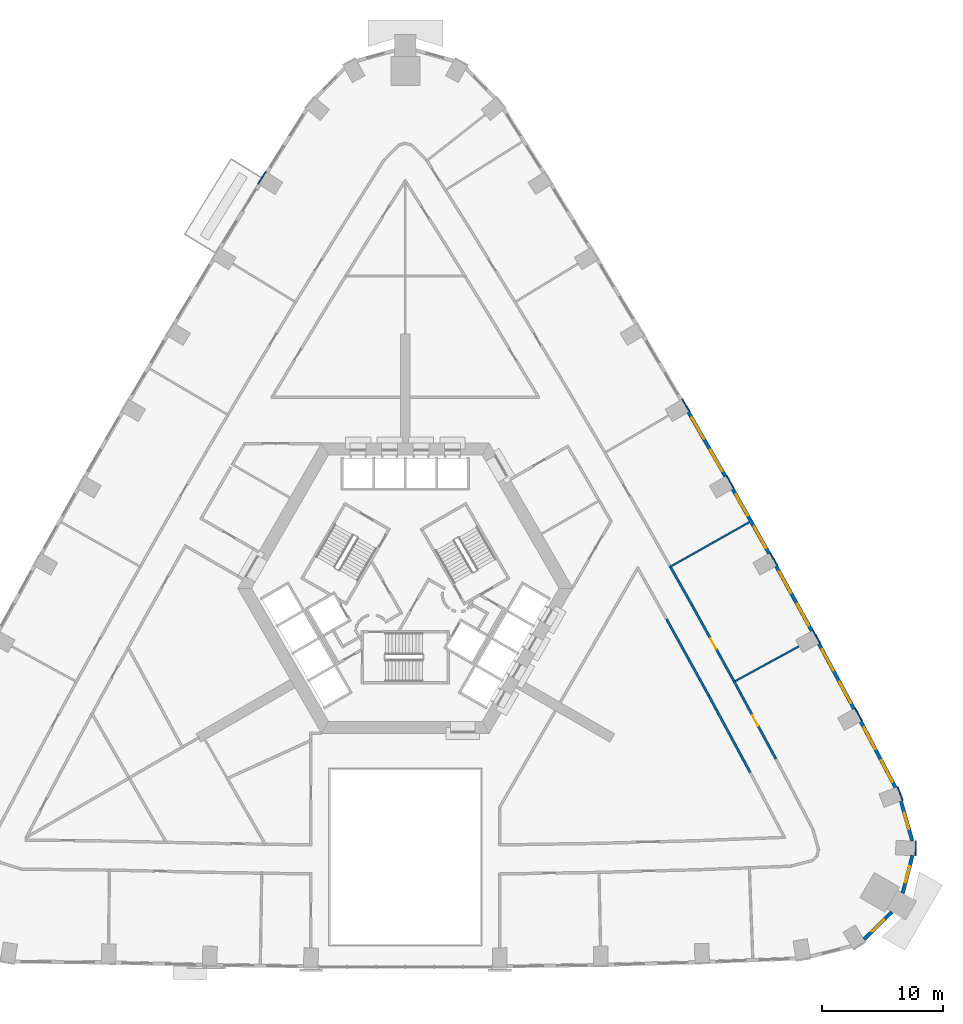
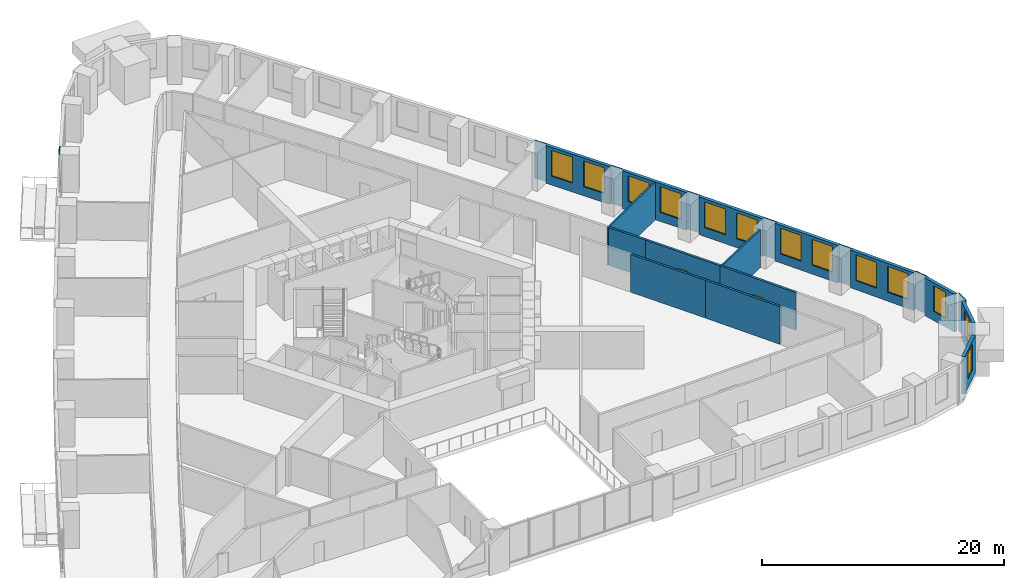
# One storey, part 11 of 15: 23 walls, 13 windows, 2 doors, 15 openings.
"""IFC4 building model written with IfcOpenShell, lengths in metres."""

from ifc_helpers import new_model, si_unit, direction, frame, frame_2d, origin, place, context, subcontext, project, spatial, rectangle, extrude, material, layer, layer_set, type_object, element, fill, save


model = new_model("IFC4")

# Units and contexts
model_context = context("Model", 3, precision=1e-05, world=origin(), true_north=direction((0.0, 1.0)))
body_context = subcontext(model_context, "Body", "Model", "MODEL_VIEW")
ifc_project = project(units=[si_unit("LENGTHUNIT", "METRE"), si_unit("AREAUNIT", "SQUARE_METRE"), si_unit("VOLUMEUNIT", "CUBIC_METRE"), si_unit("PLANEANGLEUNIT", "RADIAN"), si_unit("MASSUNIT", "GRAM", prefix="KILO")], contexts=[model_context])

# Site, building, storey
site_placement = place(None, origin())
site = spatial("IfcSite", under=ifc_project, at=site_placement, CompositionType="ELEMENT")
building_placement = place(site_placement, origin())
building = spatial("IfcBuilding", under=site, at=building_placement, Name="Entoto Arch Interchange Tower", CompositionType="ELEMENT")
storey_placement = place(building_placement, frame((0.0, 0.0, 56.0)))
storey = spatial("IfcBuildingStorey", under=building, at=storey_placement, Name="L11", CompositionType="ELEMENT", Elevation=56.0)

# Walls
ifc_material_1 = material(Name="Gypsum board partition on steel studs", Category="steel")
ifc_layer_1 = layer(ifc_material_1, 0.14990234375)
ifc_layer_set_1 = layer_set([ifc_layer_1], Name="Gypsum board partition on steel studs")
wall_type_1 = type_object("IfcWallType", Name="PARTITION 150", PredefinedType="PARTITIONING", material=ifc_layer_set_1)
wall_1_placement = place(storey_placement, frame((27.26806640625, -5.1708984375, 0.0), z_axis=(0.0, 0.0, 1.0), x_axis=(0.877837854343, 0.478957932895, 0.0)))
element("IfcWall", 1, at=wall_1_placement, inside=storey, type_object=wall_type_1, Name="wall:L11:p134", PredefinedType="PARTITIONING", context=body_context, shape_type="SweptSolid", body=[
    extrude(rectangle(XDim=5.981689453125, YDim=0.14990234375, at=frame_2d((2.99072265625, 0.0))), origin(), (0.0, 0.0, 1.0), 3.800048828125),
])
wall_2_placement = place(storey_placement, frame((21.81298828125, 4.23095703125, 0.0), z_axis=(0.0, 0.0, 1.0), x_axis=(0.870901264369, 0.491458022337, 0.0)))
element("IfcWall", 2, at=wall_2_placement, inside=storey, type_object=wall_type_1, Name="wall:L11:p135", PredefinedType="PARTITIONING", context=body_context, shape_type="SweptSolid", body=[
    extrude(rectangle(XDim=7.60009765625, YDim=0.14990234375, at=frame_2d((3.800048828125, 0.0))), origin(), (0.0, 0.0, 1.0), 3.800048828125),
])
ifc_layer_2 = layer(ifc_material_1, 0.199951171875)
ifc_layer_set_2 = layer_set([ifc_layer_2], Name="Gypsum board partition on steel studs")
wall_type_2 = type_object("IfcWallType", Name="PARTITION 200", PredefinedType="PARTITIONING", material=ifc_layer_set_2)
wall_3_placement = place(storey_placement, frame((28.5009765625, -12.72412109375, 0.0), z_axis=(0.0, 0.0, 1.0), x_axis=(-0.474575559827, 0.880214768119, 0.0)))
element("IfcWall", 3, at=wall_3_placement, inside=storey, type_object=wall_type_2, Name="wall:L11:p022", PredefinedType="PARTITIONING", context=body_context, shape_type="SweptSolid", body=[
    extrude(rectangle(XDim=7.22119140625, YDim=0.199951171875, at=frame_2d((3.610595703125, 0.0))), origin(), (0.0, 0.0, 1.0), 3.800048828125),
])
wall_4_placement = place(storey_placement, frame((25.073974609375, -6.367919921875, 0.0), z_axis=(0.0, 0.0, 1.0), x_axis=(-0.483126495407, 0.875550563609, 0.0)))
element("IfcWall", 4, at=wall_4_placement, inside=storey, type_object=wall_type_2, Name="wall:L11:p023", PredefinedType="PARTITIONING", context=body_context, shape_type="SweptSolid", body=[
    extrude(rectangle(XDim=7.2216796875, YDim=0.199951171875, at=frame_2d((3.61083984375, 0.0))), origin(), (0.0, 0.0, 1.0), 3.800048828125),
])

# Wall, opening, door
wall_5_placement = place(storey_placement, frame((27.14501953125, -5.152099609375, 0.0), z_axis=(0.0, 0.0, 1.0), x_axis=(0.474591029089, -0.880206427554, 0.0)))
wall_5 = element("IfcWall", 5, at=wall_5_placement, inside=storey, type_object=wall_type_2, Name="wall:L11:p040", PredefinedType="PARTITIONING", context=body_context, shape_type="SweptSolid", body=[
    extrude(rectangle(XDim=7.31982421875, YDim=0.199951171875, at=frame_2d((3.659912109375, 0.0))), origin(), (0.0, 0.0, 1.0), 3.800048828125),
])
opening_1_placement = place(wall_5_placement, frame((3.235107421875, 0.0, 0.0)))
opening_1 = element("IfcOpeningElement", 6, at=opening_1_placement, cuts=wall_5, Name="Opening L11-D03", PredefinedType="OPENING", context=body_context, shape_type="SweptSolid", body=[
    extrude(rectangle(XDim=1.0, YDim=2.10009765625, at=frame_2d((0.5, 1.050048828125))), frame((0.0, 0.10986328125, 0.0), z_axis=(0.0, -1.0, 0.0), x_axis=(1.0, 0.0, 0.0)), (0.0, 0.0, 1.0), 0.219970703125),
])
ifc_material_2 = material(Name="Timber door leaf in Steel S235 frame", Category="steel")
door_type = type_object("IfcDoorType", Name="DOOR DS-10 1000x2100", OperationType="SINGLE_SWING_LEFT", PredefinedType="DOOR", material=ifc_material_2)
door_1_placement = place(opening_1_placement, origin())
door_1 = element("IfcDoor", 7, at=door_1_placement, inside=storey, type_object=door_type, Name="door:L11:03", OperationType="SINGLE_SWING_RIGHT", OverallHeight=2.10009765625, OverallWidth=1.0, PredefinedType="DOOR", context=body_context, shape_type="SweptSolid", body=[
    extrude(rectangle(XDim=1.0, YDim=2.10009765625, at=frame_2d((0.5, 1.050048828125))), frame((0.0, 0.02490234375, 0.0), z_axis=(0.0, -1.0, 0.0), x_axis=(1.0, 0.0, 0.0)), (0.0, 0.0, 1.0), 0.050048828125),
])
fill(opening_1, door_1)

# Wall
wall_6_placement = place(storey_placement, frame((21.93701171875, 4.214111328125, 0.0), z_axis=(0.0, 0.0, 1.0), x_axis=(0.491485799319, -0.870885588965, 0.0)))
element("IfcWall", 8, at=wall_6_placement, inside=storey, type_object=wall_type_2, Name="wall:L11:p047", PredefinedType="PARTITIONING", context=body_context, shape_type="SweptSolid", body=[
    extrude(rectangle(XDim=3.548095703125, YDim=0.199951171875, at=frame_2d((1.77392578125, 0.0))), origin(), (0.0, 0.0, 1.0), 3.800048828125),
])

# Wall, opening, door
wall_7_placement = place(storey_placement, frame((23.680908203125, 1.1240234375, 0.0), z_axis=(0.0, 0.0, 1.0), x_axis=(0.483125061868, -0.875551354631, 0.0)))
wall_7 = element("IfcWall", 9, at=wall_7_placement, inside=storey, type_object=wall_type_2, Name="wall:L11:p048", PredefinedType="PARTITIONING", context=body_context, shape_type="SweptSolid", body=[
    extrude(rectangle(XDim=7.168212890625, YDim=0.199951171875, at=frame_2d((3.583984375, 0.0))), origin(), (0.0, 0.0, 1.0), 3.800048828125),
])
opening_2_placement = place(wall_7_placement, frame((3.158935546875, 0.0, 0.0)))
opening_2 = element("IfcOpeningElement", 10, at=opening_2_placement, cuts=wall_7, Name="Opening L11-D04", PredefinedType="OPENING", context=body_context, shape_type="SweptSolid", body=[
    extrude(rectangle(XDim=1.0, YDim=2.10009765625, at=frame_2d((0.5, 1.050048828125))), frame((0.0, 0.10986328125, 0.0), z_axis=(0.0, -1.0, 0.0), x_axis=(1.0, 0.0, 0.0)), (0.0, 0.0, 1.0), 0.219970703125),
])
door_2_placement = place(opening_2_placement, origin())
door_2 = element("IfcDoor", 11, at=door_2_placement, inside=storey, type_object=door_type, Name="door:L11:04", OperationType="SINGLE_SWING_LEFT", OverallHeight=2.10009765625, OverallWidth=1.0, PredefinedType="DOOR", context=body_context, shape_type="SweptSolid", body=[
    extrude(rectangle(XDim=1.0, YDim=2.10009765625, at=frame_2d((0.5, 1.050048828125))), frame((0.0, 0.02490234375, 0.0), z_axis=(0.0, -1.0, 0.0), x_axis=(1.0, 0.0, 0.0)), (0.0, 0.0, 1.0), 0.050048828125),
])
fill(opening_2, door_2)

# Wall, opening, window
ifc_material_3 = material(Name="Welded tuff (ignimbrite) cladding, warm buff", Category="masonry")
ifc_layer_3 = layer(ifc_material_3, 0.300048828125)
ifc_layer_set_3 = layer_set([ifc_layer_3], Name="Welded tuff (ignimbrite) cladding, warm buff")
wall_type_3 = type_object("IfcWallType", Name="STONE INFILL WALL 300", PredefinedType="STANDARD", material=ifc_layer_set_3)
wall_8_placement = place(storey_placement, frame((37.9140625, -26.512939453125, 0.0), z_axis=(0.0, 0.0, 1.0), x_axis=(0.71340487189, 0.700752087948, 0.0)))
wall_8 = element("IfcWall", 12, at=wall_8_placement, inside=storey, type_object=wall_type_3, Name="Facade wall SE-02 L11", PredefinedType="STANDARD", context=body_context, shape_type="SweptSolid", body=[
    extrude(rectangle(XDim=3.222412109375, YDim=0.300048828125, at=frame_2d((1.611328125, 0.0))), origin(), (0.0, 0.0, 1.0), 3.800048828125),
])
opening_3_placement = place(wall_8_placement, frame((0.910888671875, 0.0, 0.89990234375)))
opening_3 = element("IfcOpeningElement", 13, at=opening_3_placement, cuts=wall_8, Name="Opening WO-B", PredefinedType="OPENING", context=body_context, shape_type="SweptSolid", body=[
    extrude(rectangle(XDim=1.39990234375, YDim=2.60009765625, at=frame_2d((0.699951171875, 1.300048828125))), frame((0.0, 0.16015625, 0.0), z_axis=(0.0, -1.0, 0.0), x_axis=(1.0, 0.0, 0.0)), (0.0, 0.0, 1.0), 0.320068359375),
])
ifc_material_4 = material(Name="Clear glass, low-e double glazed", Category="glass")
window_type_1 = type_object("IfcWindowType", Name="WINDOW WO-B 1400x2600", PartitioningType="DOUBLE_PANEL_VERTICAL", PredefinedType="WINDOW", material=ifc_material_4)
window_1_placement = place(opening_3_placement, origin())
window_1 = element("IfcWindow", 14, at=window_1_placement, inside=storey, type_object=window_type_1, Name="Window WO-B SE-02 L11", OverallHeight=2.60009765625, OverallWidth=1.39990234375, PartitioningType="SINGLE_PANEL", PredefinedType="WINDOW", context=body_context, shape_type="SweptSolid", body=[
    extrude(rectangle(XDim=1.39990234375, YDim=2.60009765625, at=frame_2d((0.699951171875, 1.300048828125))), frame((0.0, 0.030029296875, 0.0), z_axis=(0.0, -1.0, 0.0), x_axis=(1.0, 0.0, 0.0)), (0.0, 0.0, 1.0), 0.06005859375),
])
fill(opening_3, window_1)

wall_9_placement = place(storey_placement, frame((41.112060546875, -22.697998046875, 0.0), z_axis=(0.0, 0.0, 1.0), x_axis=(0.250086521833, 0.968223492587, 0.0)))
wall_9 = element("IfcWall", 15, at=wall_9_placement, inside=storey, type_object=wall_type_3, Name="Facade wall SE-03 L11", PredefinedType="STANDARD", context=body_context, shape_type="SweptSolid", body=[
    extrude(rectangle(XDim=3.222412109375, YDim=0.300048828125, at=frame_2d((1.611328125, 0.0))), origin(), (0.0, 0.0, 1.0), 3.800048828125),
])
opening_4_placement = place(wall_9_placement, frame((0.910888671875, 0.0, 0.89990234375)))
opening_4 = element("IfcOpeningElement", 16, at=opening_4_placement, cuts=wall_9, Name="Opening WO-B", PredefinedType="OPENING", context=body_context, shape_type="SweptSolid", body=[
    extrude(rectangle(XDim=1.39990234375, YDim=2.60009765625, at=frame_2d((0.699951171875, 1.300048828125))), frame((0.0, 0.16015625, 0.0), z_axis=(0.0, -1.0, 0.0), x_axis=(1.0, 0.0, 0.0)), (0.0, 0.0, 1.0), 0.320068359375),
])
window_2_placement = place(opening_4_placement, origin())
window_2 = element("IfcWindow", 17, at=window_2_placement, inside=storey, type_object=window_type_1, Name="Window WO-B SE-03 L11", OverallHeight=2.60009765625, OverallWidth=1.39990234375, PartitioningType="SINGLE_PANEL", PredefinedType="WINDOW", context=body_context, shape_type="SweptSolid", body=[
    extrude(rectangle(XDim=1.39990234375, YDim=2.60009765625, at=frame_2d((0.699951171875, 1.300048828125))), frame((0.0, 0.030029296875, 0.0), z_axis=(0.0, -1.0, 0.0), x_axis=(1.0, 0.0, 0.0)), (0.0, 0.0, 1.0), 0.06005859375),
])
fill(opening_4, window_2)

wall_10_placement = place(storey_placement, frame((41.89794921875, -18.37890625, 0.0), z_axis=(0.0, 0.0, 1.0), x_axis=(-0.272901963142, 0.962041848629, 0.0)))
wall_10 = element("IfcWall", 18, at=wall_10_placement, inside=storey, type_object=wall_type_3, Name="Facade wall SE-04 L11", PredefinedType="STANDARD", context=body_context, shape_type="SweptSolid", body=[
    extrude(rectangle(XDim=3.421875, YDim=0.300048828125, at=frame_2d((1.7109375, 0.0))), origin(), (0.0, 0.0, 1.0), 3.800048828125),
])
opening_5_placement = place(wall_10_placement, frame((1.010986328125, 0.0, 0.89990234375)))
opening_5 = element("IfcOpeningElement", 19, at=opening_5_placement, cuts=wall_10, Name="Opening WO-B", PredefinedType="OPENING", context=body_context, shape_type="SweptSolid", body=[
    extrude(rectangle(XDim=1.39990234375, YDim=2.60009765625, at=frame_2d((0.699951171875, 1.300048828125))), frame((0.0, 0.16015625, 0.0), z_axis=(0.0, -1.0, 0.0), x_axis=(1.0, 0.0, 0.0)), (0.0, 0.0, 1.0), 0.320068359375),
])
window_3_placement = place(opening_5_placement, origin())
window_3 = element("IfcWindow", 20, at=window_3_placement, inside=storey, type_object=window_type_1, Name="Window WO-B SE-04 L11", OverallHeight=2.60009765625, OverallWidth=1.39990234375, PartitioningType="SINGLE_PANEL", PredefinedType="WINDOW", context=body_context, shape_type="SweptSolid", body=[
    extrude(rectangle(XDim=1.39990234375, YDim=2.60009765625, at=frame_2d((0.699951171875, 1.300048828125))), frame((0.0, 0.030029296875, 0.0), z_axis=(0.0, -1.0, 0.0), x_axis=(1.0, 0.0, 0.0)), (0.0, 0.0, 1.0), 0.06005859375),
])
fill(opening_5, window_3)

# Wall, openings, windows
wall_11_placement = place(storey_placement, frame((40.51806640625, -13.97509765625, 0.0), z_axis=(0.0, 0.0, 1.0), x_axis=(-0.465847756605, 0.884864886673, 0.0)))
wall_11 = element("IfcWall", 21, at=wall_11_placement, inside=storey, type_object=wall_type_3, Name="Facade wall NE-01 L11", PredefinedType="STANDARD", context=body_context, shape_type="SweptSolid", body=[
    extrude(rectangle(XDim=6.156982421875, YDim=0.300048828125, at=frame_2d((3.07861328125, 0.0))), origin(), (0.0, 0.0, 1.0), 3.800048828125),
])
opening_6_placement = place(wall_11_placement, frame((0.5390625, 0.0, 0.89990234375)))
opening_6 = element("IfcOpeningElement", 22, at=opening_6_placement, cuts=wall_11, Name="Opening WO-C", PredefinedType="OPENING", context=body_context, shape_type="SweptSolid", body=[
    extrude(rectangle(XDim=2.0, YDim=2.60009765625, at=frame_2d((1.0, 1.300048828125))), frame((0.0, 0.16015625, 0.0), z_axis=(0.0, -1.0, 0.0), x_axis=(1.0, 0.0, 0.0)), (0.0, 0.0, 1.0), 0.320068359375),
])
opening_7_placement = place(wall_11_placement, frame((3.617919921875, 0.0, 0.89990234375)))
opening_7 = element("IfcOpeningElement", 23, at=opening_7_placement, cuts=wall_11, Name="Opening WO-C", PredefinedType="OPENING", context=body_context, shape_type="SweptSolid", body=[
    extrude(rectangle(XDim=2.0, YDim=2.60009765625, at=frame_2d((1.0, 1.300048828125))), frame((0.0, 0.16015625, 0.0), z_axis=(0.0, -1.0, 0.0), x_axis=(1.0, 0.0, 0.0)), (0.0, 0.0, 1.0), 0.320068359375),
])
window_type_2 = type_object("IfcWindowType", Name="WINDOW WO-C 2000x2600", PartitioningType="DOUBLE_PANEL_VERTICAL", PredefinedType="WINDOW", material=ifc_material_4)
window_4_placement = place(opening_6_placement, origin())
window_4 = element("IfcWindow", 24, at=window_4_placement, inside=storey, type_object=window_type_2, Name="Window WO-C NE-01 L11", OverallHeight=2.60009765625, OverallWidth=2.0, PartitioningType="SINGLE_PANEL", PredefinedType="WINDOW", context=body_context, shape_type="SweptSolid", body=[
    extrude(rectangle(XDim=2.0, YDim=2.60009765625, at=frame_2d((1.0, 1.300048828125))), frame((0.0, 0.030029296875, 0.0), z_axis=(0.0, -1.0, 0.0), x_axis=(1.0, 0.0, 0.0)), (0.0, 0.0, 1.0), 0.06005859375),
])
fill(opening_6, window_4)
window_5_placement = place(opening_7_placement, origin())
window_5 = element("IfcWindow", 25, at=window_5_placement, inside=storey, type_object=window_type_2, Name="Window WO-C NE-01 L11", OverallHeight=2.60009765625, OverallWidth=2.0, PartitioningType="SINGLE_PANEL", PredefinedType="WINDOW", context=body_context, shape_type="SweptSolid", body=[
    extrude(rectangle(XDim=2.0, YDim=2.60009765625, at=frame_2d((1.0, 1.300048828125))), frame((0.0, 0.030029296875, 0.0), z_axis=(0.0, -1.0, 0.0), x_axis=(1.0, 0.0, 0.0)), (0.0, 0.0, 1.0), 0.06005859375),
])
fill(opening_7, window_5)

wall_12_placement = place(storey_placement, frame((37.0859375, -7.469970703125, 0.0), z_axis=(0.0, 0.0, 1.0), x_axis=(-0.474584950749, 0.880209704856, 0.0)))
wall_12 = element("IfcWall", 26, at=wall_12_placement, inside=storey, type_object=wall_type_3, Name="Facade wall NE-02 L11", PredefinedType="STANDARD", context=body_context, shape_type="SweptSolid", body=[
    extrude(rectangle(XDim=6.12109375, YDim=0.300048828125, at=frame_2d((3.060546875, 0.0))), origin(), (0.0, 0.0, 1.0), 3.800048828125),
])
opening_8_placement = place(wall_12_placement, frame((0.530029296875, 0.0, 0.89990234375)))
opening_8 = element("IfcOpeningElement", 27, at=opening_8_placement, cuts=wall_12, Name="Opening WO-C", PredefinedType="OPENING", context=body_context, shape_type="SweptSolid", body=[
    extrude(rectangle(XDim=2.0, YDim=2.60009765625, at=frame_2d((1.0, 1.300048828125))), frame((0.0, 0.16015625, 0.0), z_axis=(0.0, -1.0, 0.0), x_axis=(1.0, 0.0, 0.0)), (0.0, 0.0, 1.0), 0.320068359375),
])
opening_9_placement = place(wall_12_placement, frame((3.591064453125, 0.0, 0.89990234375)))
opening_9 = element("IfcOpeningElement", 28, at=opening_9_placement, cuts=wall_12, Name="Opening WO-C", PredefinedType="OPENING", context=body_context, shape_type="SweptSolid", body=[
    extrude(rectangle(XDim=2.0, YDim=2.60009765625, at=frame_2d((1.0, 1.300048828125))), frame((0.0, 0.16015625, 0.0), z_axis=(0.0, -1.0, 0.0), x_axis=(1.0, 0.0, 0.0)), (0.0, 0.0, 1.0), 0.320068359375),
])
window_6_placement = place(opening_8_placement, origin())
window_6 = element("IfcWindow", 29, at=window_6_placement, inside=storey, type_object=window_type_2, Name="Window WO-C NE-02 L11", OverallHeight=2.60009765625, OverallWidth=2.0, PartitioningType="SINGLE_PANEL", PredefinedType="WINDOW", context=body_context, shape_type="SweptSolid", body=[
    extrude(rectangle(XDim=2.0, YDim=2.60009765625, at=frame_2d((1.0, 1.300048828125))), frame((0.0, 0.030029296875, 0.0), z_axis=(0.0, -1.0, 0.0), x_axis=(1.0, 0.0, 0.0)), (0.0, 0.0, 1.0), 0.06005859375),
])
fill(opening_8, window_6)
window_7_placement = place(opening_9_placement, origin())
window_7 = element("IfcWindow", 30, at=window_7_placement, inside=storey, type_object=window_type_2, Name="Window WO-C NE-02 L11", OverallHeight=2.60009765625, OverallWidth=2.0, PartitioningType="SINGLE_PANEL", PredefinedType="WINDOW", context=body_context, shape_type="SweptSolid", body=[
    extrude(rectangle(XDim=2.0, YDim=2.60009765625, at=frame_2d((1.0, 1.300048828125))), frame((0.0, 0.030029296875, 0.0), z_axis=(0.0, -1.0, 0.0), x_axis=(1.0, 0.0, 0.0)), (0.0, 0.0, 1.0), 0.06005859375),
])
fill(opening_9, window_7)

wall_13_placement = place(storey_placement, frame((33.60693359375, -1.030029296875, 0.0), z_axis=(0.0, 0.0, 1.0), x_axis=(-0.483195456594, 0.875512507465, 0.0)))
wall_13 = element("IfcWall", 31, at=wall_13_placement, inside=storey, type_object=wall_type_3, Name="Facade wall NE-03 L11", PredefinedType="STANDARD", context=body_context, shape_type="SweptSolid", body=[
    extrude(rectangle(XDim=6.11962890625, YDim=0.300048828125, at=frame_2d((3.059814453125, 0.0))), origin(), (0.0, 0.0, 1.0), 3.800048828125),
])
opening_10_placement = place(wall_13_placement, frame((0.530029296875, 0.0, 0.89990234375)))
opening_10 = element("IfcOpeningElement", 32, at=opening_10_placement, cuts=wall_13, Name="Opening WO-C", PredefinedType="OPENING", context=body_context, shape_type="SweptSolid", body=[
    extrude(rectangle(XDim=2.0, YDim=2.60009765625, at=frame_2d((1.0, 1.300048828125))), frame((0.0, 0.16015625, 0.0), z_axis=(0.0, -1.0, 0.0), x_axis=(1.0, 0.0, 0.0)), (0.0, 0.0, 1.0), 0.320068359375),
])
opening_11_placement = place(wall_13_placement, frame((3.590087890625, 0.0, 0.89990234375)))
opening_11 = element("IfcOpeningElement", 33, at=opening_11_placement, cuts=wall_13, Name="Opening WO-C", PredefinedType="OPENING", context=body_context, shape_type="SweptSolid", body=[
    extrude(rectangle(XDim=2.0, YDim=2.60009765625, at=frame_2d((1.0, 1.300048828125))), frame((0.0, 0.16015625, 0.0), z_axis=(0.0, -1.0, 0.0), x_axis=(1.0, 0.0, 0.0)), (0.0, 0.0, 1.0), 0.320068359375),
])
window_8_placement = place(opening_10_placement, origin())
window_8 = element("IfcWindow", 34, at=window_8_placement, inside=storey, type_object=window_type_2, Name="Window WO-C NE-03 L11", OverallHeight=2.60009765625, OverallWidth=2.0, PartitioningType="SINGLE_PANEL", PredefinedType="WINDOW", context=body_context, shape_type="SweptSolid", body=[
    extrude(rectangle(XDim=2.0, YDim=2.60009765625, at=frame_2d((1.0, 1.300048828125))), frame((0.0, 0.030029296875, 0.0), z_axis=(0.0, -1.0, 0.0), x_axis=(1.0, 0.0, 0.0)), (0.0, 0.0, 1.0), 0.06005859375),
])
fill(opening_10, window_8)
window_9_placement = place(opening_11_placement, origin())
window_9 = element("IfcWindow", 35, at=window_9_placement, inside=storey, type_object=window_type_2, Name="Window WO-C NE-03 L11", OverallHeight=2.60009765625, OverallWidth=2.0, PartitioningType="SINGLE_PANEL", PredefinedType="WINDOW", context=body_context, shape_type="SweptSolid", body=[
    extrude(rectangle(XDim=2.0, YDim=2.60009765625, at=frame_2d((1.0, 1.300048828125))), frame((0.0, 0.030029296875, 0.0), z_axis=(0.0, -1.0, 0.0), x_axis=(1.0, 0.0, 0.0)), (0.0, 0.0, 1.0), 0.06005859375),
])
fill(opening_11, window_9)

wall_14_placement = place(storey_placement, frame((30.06689453125, 5.3740234375, 0.0), z_axis=(0.0, 0.0, 1.0), x_axis=(-0.49151046248, 0.870871669807, 0.0)))
wall_14 = element("IfcWall", 36, at=wall_14_placement, inside=storey, type_object=wall_type_3, Name="Facade wall NE-04 L11", PredefinedType="STANDARD", context=body_context, shape_type="SweptSolid", body=[
    extrude(rectangle(XDim=6.12158203125, YDim=0.300048828125, at=frame_2d((3.060791015625, 0.0))), origin(), (0.0, 0.0, 1.0), 3.800048828125),
])
opening_12_placement = place(wall_14_placement, frame((0.530029296875, 0.0, 0.89990234375)))
opening_12 = element("IfcOpeningElement", 37, at=opening_12_placement, cuts=wall_14, Name="Opening WO-C", PredefinedType="OPENING", context=body_context, shape_type="SweptSolid", body=[
    extrude(rectangle(XDim=2.0, YDim=2.60009765625, at=frame_2d((1.0, 1.300048828125))), frame((0.0, 0.16015625, 0.0), z_axis=(0.0, -1.0, 0.0), x_axis=(1.0, 0.0, 0.0)), (0.0, 0.0, 1.0), 0.320068359375),
])
opening_13_placement = place(wall_14_placement, frame((3.591064453125, 0.0, 0.89990234375)))
opening_13 = element("IfcOpeningElement", 38, at=opening_13_placement, cuts=wall_14, Name="Opening WO-C", PredefinedType="OPENING", context=body_context, shape_type="SweptSolid", body=[
    extrude(rectangle(XDim=2.0, YDim=2.60009765625, at=frame_2d((1.0, 1.300048828125))), frame((0.0, 0.16015625, 0.0), z_axis=(0.0, -1.0, 0.0), x_axis=(1.0, 0.0, 0.0)), (0.0, 0.0, 1.0), 0.320068359375),
])
window_10_placement = place(opening_12_placement, origin())
window_10 = element("IfcWindow", 39, at=window_10_placement, inside=storey, type_object=window_type_2, Name="Window WO-C NE-04 L11", OverallHeight=2.60009765625, OverallWidth=2.0, PartitioningType="SINGLE_PANEL", PredefinedType="WINDOW", context=body_context, shape_type="SweptSolid", body=[
    extrude(rectangle(XDim=2.0, YDim=2.60009765625, at=frame_2d((1.0, 1.300048828125))), frame((0.0, 0.030029296875, 0.0), z_axis=(0.0, -1.0, 0.0), x_axis=(1.0, 0.0, 0.0)), (0.0, 0.0, 1.0), 0.06005859375),
])
fill(opening_12, window_10)
window_11_placement = place(opening_13_placement, origin())
window_11 = element("IfcWindow", 40, at=window_11_placement, inside=storey, type_object=window_type_2, Name="Window WO-C NE-04 L11", OverallHeight=2.60009765625, OverallWidth=2.0, PartitioningType="SINGLE_PANEL", PredefinedType="WINDOW", context=body_context, shape_type="SweptSolid", body=[
    extrude(rectangle(XDim=2.0, YDim=2.60009765625, at=frame_2d((1.0, 1.300048828125))), frame((0.0, 0.030029296875, 0.0), z_axis=(0.0, -1.0, 0.0), x_axis=(1.0, 0.0, 0.0)), (0.0, 0.0, 1.0), 0.06005859375),
])
fill(opening_13, window_11)

wall_15_placement = place(storey_placement, frame((26.464111328125, 11.7451171875, 0.0), z_axis=(0.0, 0.0, 1.0), x_axis=(-0.499957248001, 0.866050085256, 0.0)))
wall_15 = element("IfcWall", 41, at=wall_15_placement, inside=storey, type_object=wall_type_3, Name="Facade wall NE-05 L11", PredefinedType="STANDARD", context=body_context, shape_type="SweptSolid", body=[
    extrude(rectangle(XDim=6.12060546875, YDim=0.300048828125, at=frame_2d((3.060302734375, 0.0))), origin(), (0.0, 0.0, 1.0), 3.800048828125),
])
opening_14_placement = place(wall_15_placement, frame((0.530029296875, 0.0, 0.89990234375)))
opening_14 = element("IfcOpeningElement", 42, at=opening_14_placement, cuts=wall_15, Name="Opening WO-C", PredefinedType="OPENING", context=body_context, shape_type="SweptSolid", body=[
    extrude(rectangle(XDim=2.0, YDim=2.60009765625, at=frame_2d((1.0, 1.300048828125))), frame((0.0, 0.16015625, 0.0), z_axis=(0.0, -1.0, 0.0), x_axis=(1.0, 0.0, 0.0)), (0.0, 0.0, 1.0), 0.320068359375),
])
opening_15_placement = place(wall_15_placement, frame((3.591064453125, 0.0, 0.89990234375)))
opening_15 = element("IfcOpeningElement", 43, at=opening_15_placement, cuts=wall_15, Name="Opening WO-C", PredefinedType="OPENING", context=body_context, shape_type="SweptSolid", body=[
    extrude(rectangle(XDim=2.0, YDim=2.60009765625, at=frame_2d((1.0, 1.300048828125))), frame((0.0, 0.16015625, 0.0), z_axis=(0.0, -1.0, 0.0), x_axis=(1.0, 0.0, 0.0)), (0.0, 0.0, 1.0), 0.320068359375),
])
window_12_placement = place(opening_14_placement, origin())
window_12 = element("IfcWindow", 44, at=window_12_placement, inside=storey, type_object=window_type_2, Name="Window WO-C NE-05 L11", OverallHeight=2.60009765625, OverallWidth=2.0, PartitioningType="SINGLE_PANEL", PredefinedType="WINDOW", context=body_context, shape_type="SweptSolid", body=[
    extrude(rectangle(XDim=2.0, YDim=2.60009765625, at=frame_2d((1.0, 1.300048828125))), frame((0.0, 0.030029296875, 0.0), z_axis=(0.0, -1.0, 0.0), x_axis=(1.0, 0.0, 0.0)), (0.0, 0.0, 1.0), 0.06005859375),
])
fill(opening_14, window_12)
window_13_placement = place(opening_15_placement, origin())
window_13 = element("IfcWindow", 45, at=window_13_placement, inside=storey, type_object=window_type_2, Name="Window WO-C NE-05 L11", OverallHeight=2.60009765625, OverallWidth=2.0, PartitioningType="SINGLE_PANEL", PredefinedType="WINDOW", context=body_context, shape_type="SweptSolid", body=[
    extrude(rectangle(XDim=2.0, YDim=2.60009765625, at=frame_2d((1.0, 1.300048828125))), frame((0.0, 0.030029296875, 0.0), z_axis=(0.0, -1.0, 0.0), x_axis=(1.0, 0.0, 0.0)), (0.0, 0.0, 1.0), 0.06005859375),
])
fill(opening_15, window_13)

# Walls
ifc_layer_4 = layer(ifc_material_3, 0.10009765625)
ifc_layer_set_4 = layer_set([ifc_layer_4], Name="Welded tuff (ignimbrite) cladding, warm buff")
wall_type_4 = type_object("IfcWallType", Name="STONE PIER CLADDING 100", PredefinedType="STANDARD", material=ifc_layer_set_4)
wall_16_placement = place(storey_placement, frame((41.10302734375, -15.037109375, 0.0), z_axis=(0.0, 0.0, 1.0), x_axis=(-0.348268249601, 0.937394914814, 0.0)))
element("IfcWall", 46, at=wall_16_placement, inside=storey, type_object=wall_type_4, Name="Stone pier NE01 L11", PredefinedType="STANDARD", context=body_context, shape_type="SweptSolid", body=[
    extrude(rectangle(XDim=1.2001953125, YDim=0.10009765625, at=frame_2d((0.60009765625, 0.0))), origin(), (0.0, 0.0, 1.0), 3.800048828125),
])
wall_17_placement = place(storey_placement, frame((37.739990234375, -8.47998046875, 0.0), z_axis=(0.0, 0.0, 1.0), x_axis=(-0.469383408131, 0.882994459876, 0.0)))
element("IfcWall", 47, at=wall_17_placement, inside=storey, type_object=wall_type_4, Name="Stone pier NE02 L11", PredefinedType="STANDARD", context=body_context, shape_type="SweptSolid", body=[
    extrude(rectangle(XDim=1.199462890625, YDim=0.10009765625, at=frame_2d((0.599609375, 0.0))), origin(), (0.0, 0.0, 1.0), 3.800048828125),
])
wall_18_placement = place(storey_placement, frame((34.27099609375, -2.033935546875, 0.0), z_axis=(0.0, 0.0, 1.0), x_axis=(-0.478267644701, 0.878214131082, 0.0)))
element("IfcWall", 48, at=wall_18_placement, inside=storey, type_object=wall_type_4, Name="Stone pier NE03 L11", PredefinedType="STANDARD", context=body_context, shape_type="SweptSolid", body=[
    extrude(rectangle(XDim=1.2001953125, YDim=0.10009765625, at=frame_2d((0.60009765625, 0.0))), origin(), (0.0, 0.0, 1.0), 3.800048828125),
])
wall_19_placement = place(storey_placement, frame((30.739990234375, 4.376953125, 0.0), z_axis=(0.0, 0.0, 1.0), x_axis=(-0.486730996044, 0.87355190887, 0.0)))
element("IfcWall", 49, at=wall_19_placement, inside=storey, type_object=wall_type_4, Name="Stone pier NE04 L11", PredefinedType="STANDARD", context=body_context, shape_type="SweptSolid", body=[
    extrude(rectangle(XDim=1.19970703125, YDim=0.10009765625, at=frame_2d((0.599853515625, 0.0))), origin(), (0.0, 0.0, 1.0), 3.800048828125),
])
wall_20_placement = place(storey_placement, frame((27.14794921875, 10.7548828125, 0.0), z_axis=(0.0, 0.0, 1.0), x_axis=(-0.495766453659, 0.86845588456, 0.0)))
element("IfcWall", 50, at=wall_20_placement, inside=storey, type_object=wall_type_4, Name="Stone pier NE05 L11", PredefinedType="STANDARD", context=body_context, shape_type="SweptSolid", body=[
    extrude(rectangle(XDim=1.2001953125, YDim=0.10009765625, at=frame_2d((0.60009765625, 0.0))), origin(), (0.0, 0.0, 1.0), 3.800048828125),
])
for number, where, z_axis, x_axis, name in (
    (51, (23.492919921875, 17.096923828125, 0.0), (0.0, 0.0, 1.0), (-0.504225229382, 0.863572184623, 0.0), "Stone pier NE06 L11"),
    (52, (-11.52587890625, 36.924072265625, 0.0), (0.0, 0.0, 1.0), (-0.530328162925, -0.847792450785, 0.0), "Stone pier NW02 L11"),
):
    element("IfcWall", number, at=place(storey_placement, frame(where, z_axis=z_axis, x_axis=x_axis)), inside=storey, type_object=wall_type_4, Name=name, PredefinedType="STANDARD", context=body_context, shape_type="SweptSolid", body=[
        extrude(rectangle(XDim=1.19970703125, YDim=0.10009765625, at=frame_2d((0.599853515625, 0.0))), origin(), (0.0, 0.0, 1.0), 3.800048828125),
    ])
wall_21_placement = place(storey_placement, frame((42.162109375, -19.5849609375, 0.0), z_axis=(0.0, 0.0, 1.0), x_axis=(0.023188066684, 0.999731120634, 0.0)))
element("IfcWall", 53, at=wall_21_placement, inside=storey, type_object=wall_type_4, Name="Stone pier SE3 L11", PredefinedType="STANDARD", context=body_context, shape_type="SweptSolid", body=[
    extrude(rectangle(XDim=1.2001953125, YDim=0.10009765625, at=frame_2d((0.60009765625, 0.0))), origin(), (0.0, 0.0, 1.0), 3.800048828125),
])

save(model, "model.ifc")
